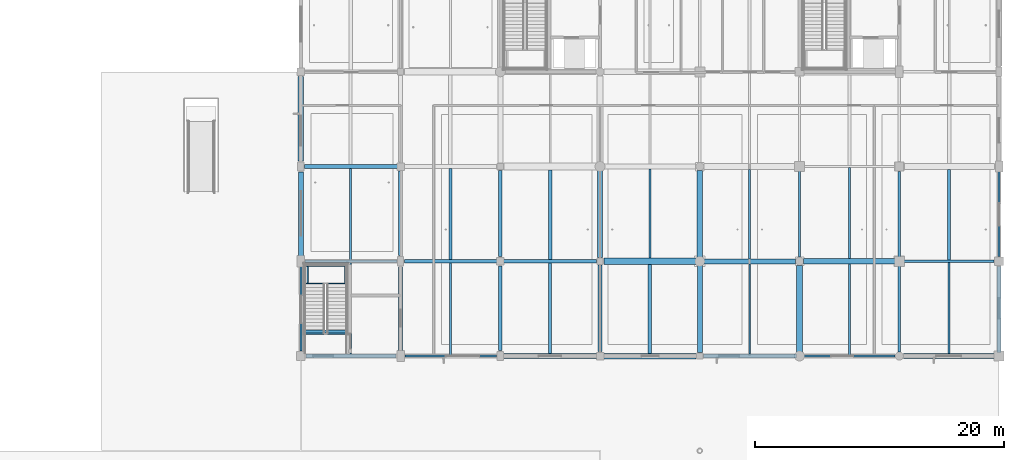
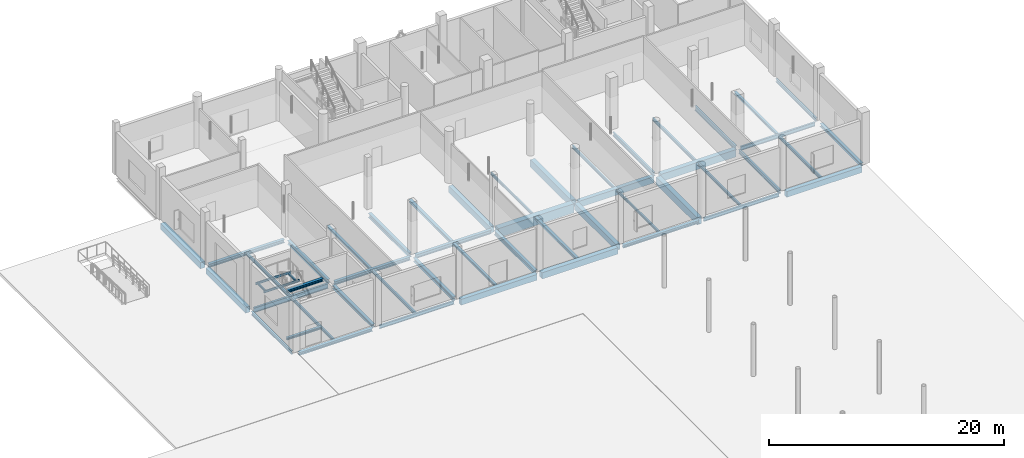
# One storey, part 46 of 126: 52 beams.
"""IFC4 building model written with IfcOpenShell, lengths in metres."""

from ifc_helpers import new_model, si_unit, direction, frame, origin, origin_2d, place, context, subcontext, project, spatial, rectangle, i_section, extrude, material, material_profile, profile_set, type_object, element, save


model = new_model("IFC4")

# Units and contexts
model_context = context("Model", 3, precision=1e-05, world=origin(), true_north=direction((0.0, 1.0)))
body_context = subcontext(model_context, "Body", "Model", "MODEL_VIEW")
ifc_project = project(units=[si_unit("LENGTHUNIT", "METRE"), si_unit("AREAUNIT", "SQUARE_METRE"), si_unit("VOLUMEUNIT", "CUBIC_METRE"), si_unit("PLANEANGLEUNIT", "RADIAN"), si_unit("MASSUNIT", "GRAM", prefix="KILO")], contexts=[model_context])

# Site, building, storey
site_placement = place(None, origin())
site = spatial("IfcSite", under=ifc_project, at=site_placement, CompositionType="ELEMENT")
building_placement = place(site_placement, origin())
building = spatial("IfcBuilding", under=site, at=building_placement, Name="Khelvaren Railside Concert Hall", CompositionType="ELEMENT")
storey_placement = place(building_placement, origin())
storey = spatial("IfcBuildingStorey", under=building, at=storey_placement, Name="L00", CompositionType="ELEMENT", Elevation=0.0)

# Beams
ifc_material_1 = material(Name="Steel S355", Category="steel")
ifc_material_profile_1 = material_profile(ifc_material_1, i_section(OverallWidth=0.300048828125, OverallDepth=0.389892578125, WebThickness=0.010986328125, FlangeThickness=0.01904296875, FilletRadius=0.027099609375, at=origin_2d()), Name="HEA 400")
ifc_profile_set_1 = profile_set([ifc_material_profile_1], Name="Steel S355")
beam_type_1 = type_object("IfcBeamType", Name="BM23", PredefinedType="BEAM", material=ifc_profile_set_1)
beam_1_placement = place(storey_placement, frame((144.25, 91.199951171875, -0.514892578125), z_axis=(1.0, 0.0, 0.0), x_axis=(0.0, 1.0, 0.0)))
element("IfcBeam", 1, at=beam_1_placement, inside=storey, type_object=beam_type_1, Name="V5 L00 Beam X2.3", PredefinedType="BEAM", context=body_context, shape_type="SweptSolid", body=[
    extrude(i_section(OverallWidth=0.300048828125, OverallDepth=0.389892578125, WebThickness=0.010986328125, FlangeThickness=0.01904296875, FilletRadius=0.027099609375, at=origin_2d()), origin(), (0.0, 0.0, 1.0), 7.449951171875),
])
beam_2_placement = place(storey_placement, frame((136.0, 91.64990234375, -0.514892578125), z_axis=(0.0, 1.0, 0.0), x_axis=(-1.0, 0.0, 0.0)))
element("IfcBeam", 2, at=beam_2_placement, inside=storey, type_object=beam_type_1, Name="V5 L00 Beam Y2.2", PredefinedType="BEAM", context=body_context, shape_type="SweptSolid", body=[
    extrude(i_section(OverallWidth=0.300048828125, OverallDepth=0.389892578125, WebThickness=0.010986328125, FlangeThickness=0.01904296875, FilletRadius=0.027099609375, at=origin_2d()), origin(), (0.0, 0.0, 1.0), 6.775146484375),
])
beam_3_placement = place(storey_placement, frame((144.0, 84.050048828125, -0.514892578125), z_axis=(0.0, 1.0, 0.0), x_axis=(-1.0, 0.0, 0.0)))
element("IfcBeam", 3, at=beam_3_placement, inside=storey, type_object=beam_type_1, Name="V5 L00 Beam Y3.1", PredefinedType="BEAM", context=body_context, shape_type="SweptSolid", body=[
    extrude(i_section(OverallWidth=0.300048828125, OverallDepth=0.389892578125, WebThickness=0.010986328125, FlangeThickness=0.01904296875, FilletRadius=0.027099609375, at=origin_2d()), origin(), (0.0, 0.0, 1.0), 6.77490234375),
])
ifc_material_profile_2 = material_profile(ifc_material_1, i_section(OverallWidth=0.179931640625, OverallDepth=0.39990234375, WebThickness=0.008544921875, FlangeThickness=0.013427734375, FilletRadius=0.02099609375, at=origin_2d()), Name="IPE 400")
ifc_profile_set_2 = profile_set([ifc_material_profile_2], Name="Steel S355")
beam_type_2 = type_object("IfcBeamType", Name="BM29", PredefinedType="BEAM", material=ifc_profile_set_2)
beam_4_placement = place(storey_placement, frame((176.27294921875, 91.199951171875, -0.52001953125), z_axis=(1.0, 0.0, 0.0), x_axis=(0.0, 1.0, 0.0)))
element("IfcBeam", 4, at=beam_4_placement, inside=storey, type_object=beam_type_2, Name="V5 L00 Beam X2.7", PredefinedType="BEAM", context=body_context, shape_type="SweptSolid", body=[
    extrude(i_section(OverallWidth=0.179931640625, OverallDepth=0.39990234375, WebThickness=0.008544921875, FlangeThickness=0.013427734375, FilletRadius=0.02099609375, at=origin_2d()), origin(), (0.0, 0.0, 1.0), 7.3271484375),
])
beam_5_placement = place(storey_placement, frame((168.0, 91.535888671875, -0.52001953125), z_axis=(0.0, 1.0, 0.0), x_axis=(-1.0, 0.0, 0.0)))
element("IfcBeam", 5, at=beam_5_placement, inside=storey, type_object=beam_type_2, Name="V5 L00 Beam Y6.2", PredefinedType="BEAM", context=body_context, shape_type="SweptSolid", body=[
    extrude(i_section(OverallWidth=0.179931640625, OverallDepth=0.39990234375, WebThickness=0.008544921875, FlangeThickness=0.013427734375, FilletRadius=0.02099609375, at=origin_2d()), origin(), (0.0, 0.0, 1.0), 6.9912109375),
])
beam_6_placement = place(storey_placement, frame((176.0, 83.93603515625, -0.52001953125), z_axis=(0.0, 1.0, 0.0), x_axis=(-1.0, 0.0, 0.0)))
element("IfcBeam", 6, at=beam_6_placement, inside=storey, type_object=beam_type_2, Name="V5 L00 Beam Y7.1", PredefinedType="BEAM", context=body_context, shape_type="SweptSolid", body=[
    extrude(i_section(OverallWidth=0.179931640625, OverallDepth=0.39990234375, WebThickness=0.008544921875, FlangeThickness=0.013427734375, FilletRadius=0.02099609375, at=origin_2d()), origin(), (0.0, 0.0, 1.0), 6.990966796875),
])
ifc_material_2 = material(Name="Concrete C40/50", Category="concrete")
ifc_material_profile_3 = material_profile(ifc_material_2, rectangle(XDim=0.39990234375, YDim=0.64990234375, at=origin_2d()), Name="RCB 400x650")
ifc_profile_set_3 = profile_set([ifc_material_profile_3], Name="Concrete C40/50")
beam_type_3 = type_object("IfcBeamType", Name="BM33", PredefinedType="BEAM", material=ifc_profile_set_3)
beam_7_placement = place(storey_placement, frame((160.25, 91.199951171875, -0.64501953125), z_axis=(1.0, 0.0, 0.0), x_axis=(0.0, 1.0, 0.0)))
element("IfcBeam", 7, at=beam_7_placement, inside=storey, type_object=beam_type_3, Name="V5 L00 Beam X2.5", PredefinedType="BEAM", context=body_context, shape_type="SweptSolid", body=[
    extrude(rectangle(XDim=0.39990234375, YDim=0.64990234375, at=origin_2d()), origin(), (0.0, 0.0, 1.0), 7.4140625),
])
for number, where, z_axis, x_axis, name in (
    (8, (152.0, 91.5, -0.64501953125), (0.0, 1.0, 0.0), (-1.0, 0.0, 0.0), "V5 L00 Beam Y4.2"),
    (9, (160.0, 83.89990234375, -0.64501953125), (0.0, 1.0, 0.0), (-1.0, 0.0, 0.0), "V5 L00 Beam Y5.1"),
):
    element("IfcBeam", number, at=place(storey_placement, frame(where, z_axis=z_axis, x_axis=x_axis)), inside=storey, type_object=beam_type_3, Name=name, PredefinedType="BEAM", context=body_context, shape_type="SweptSolid", body=[
        extrude(rectangle(XDim=0.39990234375, YDim=0.64990234375, at=origin_2d()), origin(), (0.0, 0.0, 1.0), 7.050048828125),
    ])
ifc_material_profile_4 = material_profile(ifc_material_1, i_section(OverallWidth=0.239990234375, OverallDepth=0.22998046875, WebThickness=0.007568359375, FlangeThickness=0.011962890625, FilletRadius=0.02099609375, at=origin_2d()), Name="HEA 240")
ifc_profile_set_4 = profile_set([ifc_material_profile_4], Name="Steel S355")
beam_type_4 = type_object("IfcBeamType", Name="BM42", PredefinedType="BEAM", material=ifc_profile_set_4)
beam_8_placement = place(storey_placement, frame((128.344970703125, 85.560791015625, -0.114990234375), z_axis=(1.0, 0.0, 0.0), x_axis=(0.0, 1.0, 0.0)))
element("IfcBeam", 10, at=beam_8_placement, inside=storey, type_object=beam_type_4, Name="ST-12 L00 Stair Foot Trimmer Beam", PredefinedType="BEAM", context=body_context, shape_type="SweptSolid", body=[
    extrude(i_section(OverallWidth=0.239990234375, OverallDepth=0.22998046875, WebThickness=0.007568359375, FlangeThickness=0.011962890625, FilletRadius=0.02099609375, at=origin_2d()), origin(), (0.0, 0.0, 1.0), 3.4951171875),
])
ifc_material_profile_5 = material_profile(ifc_material_1, i_section(OverallWidth=0.199951171875, OverallDepth=0.5, WebThickness=0.01025390625, FlangeThickness=0.01611328125, FilletRadius=0.02099609375, at=origin_2d()), Name="IPE 500")
ifc_profile_set_5 = profile_set([ifc_material_profile_5], Name="Steel S355")
beam_type_5 = type_object("IfcBeamType", Name="BM62", PredefinedType="BEAM", material=ifc_profile_set_5)
beam_9_placement = place(storey_placement, frame((128.35009765625, 91.199951171875, -0.570068359375), z_axis=(1.0, 0.0, 0.0), x_axis=(0.0, 1.0, 0.0)))
element("IfcBeam", 11, at=beam_9_placement, inside=storey, type_object=beam_type_5, Name="V5 L00 Beam X2.1", PredefinedType="BEAM", context=body_context, shape_type="SweptSolid", body=[
    extrude(i_section(OverallWidth=0.199951171875, OverallDepth=0.5, WebThickness=0.01025390625, FlangeThickness=0.01611328125, FilletRadius=0.02099609375, at=origin_2d()), origin(), (0.0, 0.0, 1.0), 7.349853515625),
])
ifc_material_profile_6 = material_profile(ifc_material_1, i_section(OverallWidth=0.300048828125, OverallDepth=0.35009765625, WebThickness=0.010009765625, FlangeThickness=0.017578125, FilletRadius=0.027099609375, at=origin_2d()), Name="HEA 360")
ifc_profile_set_6 = profile_set([ifc_material_profile_6], Name="Steel S355")
beam_type_6 = type_object("IfcBeamType", Name="BM73", PredefinedType="BEAM", material=ifc_profile_set_6)
for number, where, z_axis, x_axis, name in (
    (12, (136.300048828125, 91.199951171875, -0.4951171875), (1.0, 0.0, 0.0), (0.0, 1.0, 0.0), "V5 L00 Beam X2.2"),
    (13, (128.300048828125, 98.800048828125, -0.4951171875), (1.0, 0.0, 0.0), (0.0, 1.0, 0.0), "V5 L00 Beam X3.1"),
):
    element("IfcBeam", number, at=place(storey_placement, frame(where, z_axis=z_axis, x_axis=x_axis)), inside=storey, type_object=beam_type_6, Name=name, PredefinedType="BEAM", context=body_context, shape_type="SweptSolid", body=[
        extrude(i_section(OverallWidth=0.300048828125, OverallDepth=0.35009765625, WebThickness=0.010009765625, FlangeThickness=0.017578125, FilletRadius=0.027099609375, at=origin_2d()), origin(), (0.0, 0.0, 1.0), 7.449951171875),
    ])
beam_10_placement = place(storey_placement, frame((136.0, 83.949951171875, -0.4951171875), z_axis=(0.0, 1.0, 0.0), x_axis=(-1.0, 0.0, 0.0)))
element("IfcBeam", 14, at=beam_10_placement, inside=storey, type_object=beam_type_6, Name="V5 L00 Beam Y2.1", PredefinedType="BEAM", context=body_context, shape_type="SweptSolid", body=[
    extrude(i_section(OverallWidth=0.300048828125, OverallDepth=0.35009765625, WebThickness=0.010009765625, FlangeThickness=0.017578125, FilletRadius=0.027099609375, at=origin_2d()), origin(), (0.0, 0.0, 1.0), 6.800048828125),
])
ifc_material_profile_7 = material_profile(ifc_material_2, rectangle(XDim=0.449951171875, YDim=0.75, at=origin_2d()), Name="RCB 450x750")
ifc_profile_set_7 = profile_set([ifc_material_profile_7], Name="Concrete C40/50")
beam_type_7 = type_object("IfcBeamType", Name="BM83", PredefinedType="BEAM", material=ifc_profile_set_7)
beam_11_placement = place(storey_placement, frame((168.3359375, 91.199951171875, -0.695068359375), z_axis=(1.0, 0.0, 0.0), x_axis=(0.0, 1.0, 0.0)))
element("IfcBeam", 15, at=beam_11_placement, inside=storey, type_object=beam_type_7, Name="V5 L00 Beam X2.6", PredefinedType="BEAM", context=body_context, shape_type="SweptSolid", body=[
    extrude(rectangle(XDim=0.449951171875, YDim=0.75, at=origin_2d()), origin(), (0.0, 0.0, 1.0), 7.39111328125),
])
beam_12_placement = place(storey_placement, frame((160.0, 91.449951171875, -0.695068359375), z_axis=(0.0, 1.0, 0.0), x_axis=(-1.0, 0.0, 0.0)))
element("IfcBeam", 16, at=beam_12_placement, inside=storey, type_object=beam_type_7, Name="V5 L00 Beam Y5.2", PredefinedType="BEAM", context=body_context, shape_type="SweptSolid", body=[
    extrude(rectangle(XDim=0.449951171875, YDim=0.75, at=origin_2d()), origin(), (0.0, 0.0, 1.0), 7.01416015625),
])
beam_13_placement = place(storey_placement, frame((168.0, 83.85009765625, -0.695068359375), z_axis=(0.0, 1.0, 0.0), x_axis=(-1.0, 0.0, 0.0)))
element("IfcBeam", 17, at=beam_13_placement, inside=storey, type_object=beam_type_7, Name="V5 L00 Beam Y6.1", PredefinedType="BEAM", context=body_context, shape_type="SweptSolid", body=[
    extrude(rectangle(XDim=0.449951171875, YDim=0.75, at=origin_2d()), origin(), (0.0, 0.0, 1.0), 7.013916015625),
])
ifc_material_profile_8 = material_profile(ifc_material_1, i_section(OverallWidth=0.110107421875, OverallDepth=0.219970703125, WebThickness=0.005859375, FlangeThickness=0.00927734375, FilletRadius=0.011962890625, at=origin_2d()), Name="IPE 220")
ifc_profile_set_8 = profile_set([ifc_material_profile_8], Name="Steel S355")
beam_type_8 = type_object("IfcBeamType", Name="BM87", PredefinedType="BEAM", material=ifc_profile_set_8)
for number, where, z_axis, x_axis, name in (
    (18, (128.344970703125, 89.425048828125, 2.389892578125), (1.0, 0.0, 0.0), (0.0, 1.0, 0.0), "ST-12 L00 Half-Landing Front Beam"),
    (19, (128.344970703125, 90.840087890625, 2.389892578125), (1.0, 0.0, 0.0), (0.0, 1.0, 0.0), "ST-12 L00 Half-Landing Rear Beam"),
):
    element("IfcBeam", number, at=place(storey_placement, frame(where, z_axis=z_axis, x_axis=x_axis)), inside=storey, type_object=beam_type_8, Name=name, PredefinedType="BEAM", context=body_context, shape_type="SweptSolid", body=[
        extrude(i_section(OverallWidth=0.110107421875, OverallDepth=0.219970703125, WebThickness=0.005859375, FlangeThickness=0.00927734375, FilletRadius=0.011962890625, at=origin_2d()), origin(), (0.0, 0.0, 1.0), 3.4951171875),
    ])
for number, where, z_axis, x_axis, name in (
    (20, (128.550048828125, 89.47998046875, 2.389892578125), (0.0, 1.0, 0.0), (-1.0, 0.0, 0.0), "ST-12 L00 Half-Landing Side Tie W"),
    (21, (131.550048828125, 89.47998046875, 2.389892578125), (0.0, 1.0, 0.0), (-1.0, 0.0, 0.0), "ST-12 L00 Half-Landing Side Tie E"),
):
    element("IfcBeam", number, at=place(storey_placement, frame(where, z_axis=z_axis, x_axis=x_axis)), inside=storey, type_object=beam_type_8, Name=name, PredefinedType="BEAM", context=body_context, shape_type="SweptSolid", body=[
        extrude(i_section(OverallWidth=0.110107421875, OverallDepth=0.219970703125, WebThickness=0.005859375, FlangeThickness=0.00927734375, FilletRadius=0.011962890625, at=origin_2d()), origin(), (0.0, 0.0, 1.0), 1.304931640625),
    ])
ifc_material_profile_9 = material_profile(ifc_material_1, i_section(OverallWidth=0.300048828125, OverallDepth=0.43994140625, WebThickness=0.011474609375, FlangeThickness=0.02099609375, FilletRadius=0.027099609375, at=origin_2d()), Name="HEA 450")
ifc_profile_set_9 = profile_set([ifc_material_profile_9], Name="Steel S355")
beam_type_9 = type_object("IfcBeamType", Name="BM89", PredefinedType="BEAM", material=ifc_profile_set_9)
beam_14_placement = place(storey_placement, frame((144.0, 91.574951171875, -0.5400390625), z_axis=(0.0, 1.0, 0.0), x_axis=(-1.0, 0.0, 0.0)))
element("IfcBeam", 22, at=beam_14_placement, inside=storey, type_object=beam_type_9, Name="V5 L00 Beam Y3.2", PredefinedType="BEAM", context=body_context, shape_type="SweptSolid", body=[
    extrude(i_section(OverallWidth=0.300048828125, OverallDepth=0.43994140625, WebThickness=0.011474609375, FlangeThickness=0.02099609375, FilletRadius=0.027099609375, at=origin_2d()), origin(), (0.0, 0.0, 1.0), 6.925048828125),
])
beam_15_placement = place(storey_placement, frame((152.0, 83.97509765625, -0.5400390625), z_axis=(0.0, 1.0, 0.0), x_axis=(-1.0, 0.0, 0.0)))
element("IfcBeam", 23, at=beam_15_placement, inside=storey, type_object=beam_type_9, Name="V5 L00 Beam Y4.1", PredefinedType="BEAM", context=body_context, shape_type="SweptSolid", body=[
    extrude(i_section(OverallWidth=0.300048828125, OverallDepth=0.43994140625, WebThickness=0.011474609375, FlangeThickness=0.02099609375, FilletRadius=0.027099609375, at=origin_2d()), origin(), (0.0, 0.0, 1.0), 6.9248046875),
])
ifc_material_profile_10 = material_profile(ifc_material_1, i_section(OverallWidth=0.280029296875, OverallDepth=0.27001953125, WebThickness=0.008056640625, FlangeThickness=0.012939453125, FilletRadius=0.02392578125, at=origin_2d()), Name="HEA 280")
ifc_profile_set_10 = profile_set([ifc_material_profile_10], Name="Steel S355")
beam_type_10 = type_object("IfcBeamType", Name="BM93", PredefinedType="BEAM", material=ifc_profile_set_10)
beam_16_placement = place(storey_placement, frame((128.344970703125, 85.4599609375, 4.90673828125), z_axis=(1.0, 0.0, 0.0), x_axis=(0.0, 1.0, 0.0)))
element("IfcBeam", 24, at=beam_16_placement, inside=storey, type_object=beam_type_10, Name="ST-12 L00 Stair Top Arrival Trimmer Beam", PredefinedType="BEAM", context=body_context, shape_type="SweptSolid", body=[
    extrude(i_section(OverallWidth=0.280029296875, OverallDepth=0.27001953125, WebThickness=0.008056640625, FlangeThickness=0.012939453125, FilletRadius=0.02392578125, at=origin_2d()), origin(), (0.0, 0.0, 1.0), 3.4951171875),
])
ifc_material_profile_11 = material_profile(ifc_material_1, i_section(OverallWidth=0.18994140625, OverallDepth=0.449951171875, WebThickness=0.009521484375, FlangeThickness=0.0146484375, FilletRadius=0.02099609375, at=origin_2d()), Name="IPE 450")
ifc_profile_set_11 = profile_set([ifc_material_profile_11], Name="Steel S355")
beam_type_11 = type_object("IfcBeamType", Name="BM95", PredefinedType="BEAM", material=ifc_profile_set_11)
beam_17_placement = place(storey_placement, frame((176.0, 91.472900390625, -0.544921875), z_axis=(0.0, 1.0, 0.0), x_axis=(-1.0, 0.0, 0.0)))
element("IfcBeam", 25, at=beam_17_placement, inside=storey, type_object=beam_type_11, Name="V5 L00 Beam Y7.2", PredefinedType="BEAM", context=body_context, shape_type="SweptSolid", body=[
    extrude(i_section(OverallWidth=0.18994140625, OverallDepth=0.449951171875, WebThickness=0.009521484375, FlangeThickness=0.0146484375, FilletRadius=0.02099609375, at=origin_2d()), origin(), (0.0, 0.0, 1.0), 6.927001953125),
])
ifc_material_profile_12 = material_profile(ifc_material_2, rectangle(XDim=0.550048828125, YDim=0.949951171875, at=origin_2d()), Name="RCB 550x950")
ifc_profile_set_12 = profile_set([ifc_material_profile_12], Name="Concrete C40/50")
beam_type_12 = type_object("IfcBeamType", Name="GR57", PredefinedType="T_BEAM", material=ifc_profile_set_12)
beam_18_placement = place(storey_placement, frame((152.300048828125, 91.199951171875, -0.794921875), z_axis=(1.0, 0.0, 0.0), x_axis=(0.0, 1.0, 0.0)))
element("IfcBeam", 26, at=beam_18_placement, inside=storey, type_object=beam_type_12, Name="V5 L00 T_Beam X2.4", PredefinedType="T_BEAM", context=body_context, shape_type="SweptSolid", body=[
    extrude(rectangle(XDim=0.550048828125, YDim=0.949951171875, at=origin_2d()), origin(), (0.0, 0.0, 1.0), 7.449951171875),
])
ifc_material_profile_13 = material_profile(ifc_material_1, i_section(OverallWidth=0.14990234375, OverallDepth=0.300048828125, WebThickness=0.007080078125, FlangeThickness=0.0107421875, FilletRadius=0.014892578125, at=origin_2d()), Name="IPE 300")
ifc_profile_set_13 = profile_set([ifc_material_profile_13], Name="Steel S355")
beam_type_13 = type_object("IfcBeamType", Name="JS26", PredefinedType="JOIST", material=ifc_profile_set_13)
beam_19_placement = place(storey_placement, frame((132.0, 83.75, -0.469970703125), z_axis=(0.0, 1.0, 0.0), x_axis=(-1.0, 0.0, 0.0)))
element("IfcBeam", 27, at=beam_19_placement, inside=storey, type_object=beam_type_13, Name="V5 L00 Secondary Joist 1.1", PredefinedType="JOIST", context=body_context, shape_type="SweptSolid", body=[
    extrude(i_section(OverallWidth=0.14990234375, OverallDepth=0.300048828125, WebThickness=0.007080078125, FlangeThickness=0.0107421875, FilletRadius=0.014892578125, at=origin_2d()), origin(), (0.0, 0.0, 1.0), 7.35009765625),
])
beam_20_placement = place(storey_placement, frame((164.0, 91.39990234375, -0.469970703125), z_axis=(0.0, 1.0, 0.0), x_axis=(-1.0, 0.0, 0.0)))
element("IfcBeam", 28, at=beam_20_placement, inside=storey, type_object=beam_type_13, Name="V5 L00 Secondary Joist 5.2", PredefinedType="JOIST", context=body_context, shape_type="SweptSolid", body=[
    extrude(i_section(OverallWidth=0.14990234375, OverallDepth=0.300048828125, WebThickness=0.007080078125, FlangeThickness=0.0107421875, FilletRadius=0.014892578125, at=origin_2d()), origin(), (0.0, 0.0, 1.0), 7.175048828125),
])
beam_21_placement = place(storey_placement, frame((172.0, 83.68505859375, -0.469970703125), z_axis=(0.0, 1.0, 0.0), x_axis=(-1.0, 0.0, 0.0)))
element("IfcBeam", 29, at=beam_21_placement, inside=storey, type_object=beam_type_13, Name="V5 L00 Secondary Joist 6.1", PredefinedType="JOIST", context=body_context, shape_type="SweptSolid", body=[
    extrude(i_section(OverallWidth=0.14990234375, OverallDepth=0.300048828125, WebThickness=0.007080078125, FlangeThickness=0.0107421875, FilletRadius=0.014892578125, at=origin_2d()), origin(), (0.0, 0.0, 1.0), 7.2900390625),
])
ifc_material_profile_14 = material_profile(ifc_material_1, i_section(OverallWidth=0.280029296875, OverallDepth=0.27001953125, WebThickness=0.008056640625, FlangeThickness=0.012939453125, FilletRadius=0.02392578125, at=origin_2d()), Name="HEA 280")
ifc_profile_set_14 = profile_set([ifc_material_profile_14], Name="Steel S355")
beam_type_14 = type_object("IfcBeamType", Name="JS46", PredefinedType="JOIST", material=ifc_profile_set_14)
beam_22_placement = place(storey_placement, frame((148.0, 91.35009765625, -0.455078125), z_axis=(0.0, 1.0, 0.0), x_axis=(-1.0, 0.0, 0.0)))
element("IfcBeam", 30, at=beam_22_placement, inside=storey, type_object=beam_type_14, Name="V5 L00 Secondary Joist 3.2", PredefinedType="JOIST", context=body_context, shape_type="SweptSolid", body=[
    extrude(i_section(OverallWidth=0.280029296875, OverallDepth=0.27001953125, WebThickness=0.008056640625, FlangeThickness=0.012939453125, FilletRadius=0.02392578125, at=origin_2d()), origin(), (0.0, 0.0, 1.0), 7.1748046875),
])
beam_23_placement = place(storey_placement, frame((156.0, 83.824951171875, -0.455078125), z_axis=(0.0, 1.0, 0.0), x_axis=(-1.0, 0.0, 0.0)))
element("IfcBeam", 31, at=beam_23_placement, inside=storey, type_object=beam_type_14, Name="V5 L00 Secondary Joist 4.1", PredefinedType="JOIST", context=body_context, shape_type="SweptSolid", body=[
    extrude(i_section(OverallWidth=0.280029296875, OverallDepth=0.27001953125, WebThickness=0.008056640625, FlangeThickness=0.012939453125, FilletRadius=0.02392578125, at=origin_2d()), origin(), (0.0, 0.0, 1.0), 7.10009765625),
])
ifc_material_profile_15 = material_profile(ifc_material_1, i_section(OverallWidth=0.159912109375, OverallDepth=0.330078125, WebThickness=0.007568359375, FlangeThickness=0.011474609375, FilletRadius=0.01806640625, at=origin_2d()), Name="IPE 330")
ifc_profile_set_15 = profile_set([ifc_material_profile_15], Name="Steel S355")
beam_type_15 = type_object("IfcBeamType", Name="JS65", PredefinedType="JOIST", material=ifc_profile_set_15)
beam_24_placement = place(storey_placement, frame((132.0, 91.300048828125, -0.485107421875), z_axis=(0.0, 1.0, 0.0), x_axis=(-1.0, 0.0, 0.0)))
element("IfcBeam", 32, at=beam_24_placement, inside=storey, type_object=beam_type_15, Name="V5 L00 Secondary Joist 1.2", PredefinedType="JOIST", context=body_context, shape_type="SweptSolid", body=[
    extrude(i_section(OverallWidth=0.159912109375, OverallDepth=0.330078125, WebThickness=0.007568359375, FlangeThickness=0.011474609375, FilletRadius=0.01806640625, at=origin_2d()), origin(), (0.0, 0.0, 1.0), 7.349853515625),
])
beam_25_placement = place(storey_placement, frame((140.0, 83.68505859375, -0.485107421875), z_axis=(0.0, 1.0, 0.0), x_axis=(-1.0, 0.0, 0.0)))
element("IfcBeam", 33, at=beam_25_placement, inside=storey, type_object=beam_type_15, Name="V5 L00 Secondary Joist 2.1", PredefinedType="JOIST", context=body_context, shape_type="SweptSolid", body=[
    extrude(i_section(OverallWidth=0.159912109375, OverallDepth=0.330078125, WebThickness=0.007568359375, FlangeThickness=0.011474609375, FilletRadius=0.01806640625, at=origin_2d()), origin(), (0.0, 0.0, 1.0), 7.364990234375),
])
beam_26_placement = place(storey_placement, frame((172.0, 91.425048828125, -0.485107421875), z_axis=(0.0, 1.0, 0.0), x_axis=(-1.0, 0.0, 0.0)))
element("IfcBeam", 34, at=beam_26_placement, inside=storey, type_object=beam_type_15, Name="V5 L00 Secondary Joist 6.2", PredefinedType="JOIST", context=body_context, shape_type="SweptSolid", body=[
    extrude(i_section(OverallWidth=0.159912109375, OverallDepth=0.330078125, WebThickness=0.007568359375, FlangeThickness=0.011474609375, FilletRadius=0.01806640625, at=origin_2d()), origin(), (0.0, 0.0, 1.0), 7.284912109375),
])
beam_27_placement = place(storey_placement, frame((180.0, 83.800048828125, -0.485107421875), z_axis=(0.0, 1.0, 0.0), x_axis=(-1.0, 0.0, 0.0)))
element("IfcBeam", 35, at=beam_27_placement, inside=storey, type_object=beam_type_15, Name="V5 L00 Secondary Joist 7.1", PredefinedType="JOIST", context=body_context, shape_type="SweptSolid", body=[
    extrude(i_section(OverallWidth=0.159912109375, OverallDepth=0.330078125, WebThickness=0.007568359375, FlangeThickness=0.011474609375, FilletRadius=0.01806640625, at=origin_2d()), origin(), (0.0, 0.0, 1.0), 7.31005859375),
])
ifc_material_profile_16 = material_profile(ifc_material_1, i_section(OverallWidth=0.239990234375, OverallDepth=0.22998046875, WebThickness=0.007568359375, FlangeThickness=0.011962890625, FilletRadius=0.02099609375, at=origin_2d()), Name="HEA 240")
ifc_profile_set_16 = profile_set([ifc_material_profile_16], Name="Steel S355")
beam_type_16 = type_object("IfcBeamType", Name="JS76", PredefinedType="JOIST", material=ifc_profile_set_16)
beam_28_placement = place(storey_placement, frame((140.0, 91.35009765625, -0.43505859375), z_axis=(0.0, 1.0, 0.0), x_axis=(-1.0, 0.0, 0.0)))
element("IfcBeam", 36, at=beam_28_placement, inside=storey, type_object=beam_type_16, Name="V5 L00 Secondary Joist 2.2", PredefinedType="JOIST", context=body_context, shape_type="SweptSolid", body=[
    extrude(i_section(OverallWidth=0.239990234375, OverallDepth=0.22998046875, WebThickness=0.007568359375, FlangeThickness=0.011962890625, FilletRadius=0.02099609375, at=origin_2d()), origin(), (0.0, 0.0, 1.0), 7.2998046875),
])
beam_29_placement = place(storey_placement, frame((148.0, 83.800048828125, -0.43505859375), z_axis=(0.0, 1.0, 0.0), x_axis=(-1.0, 0.0, 0.0)))
element("IfcBeam", 37, at=beam_29_placement, inside=storey, type_object=beam_type_16, Name="V5 L00 Secondary Joist 3.1", PredefinedType="JOIST", context=body_context, shape_type="SweptSolid", body=[
    extrude(i_section(OverallWidth=0.239990234375, OverallDepth=0.22998046875, WebThickness=0.007568359375, FlangeThickness=0.011962890625, FilletRadius=0.02099609375, at=origin_2d()), origin(), (0.0, 0.0, 1.0), 7.25),
])
beam_30_placement = place(storey_placement, frame((180.0, 91.2900390625, -0.43505859375), z_axis=(0.0, 1.0, 0.0), x_axis=(-1.0, 0.0, 0.0)))
element("IfcBeam", 38, at=beam_30_placement, inside=storey, type_object=beam_type_16, Name="V5 L00 Secondary Joist 7.2", PredefinedType="JOIST", context=body_context, shape_type="SweptSolid", body=[
    extrude(i_section(OverallWidth=0.239990234375, OverallDepth=0.22998046875, WebThickness=0.007568359375, FlangeThickness=0.011962890625, FilletRadius=0.02099609375, at=origin_2d()), origin(), (0.0, 0.0, 1.0), 7.260009765625),
])
ifc_material_profile_17 = material_profile(ifc_material_1, i_section(OverallWidth=0.135009765625, OverallDepth=0.27001953125, WebThickness=0.006591796875, FlangeThickness=0.01025390625, FilletRadius=0.014892578125, at=origin_2d()), Name="IPE 270")
ifc_profile_set_17 = profile_set([ifc_material_profile_17], Name="Steel S355")
beam_type_17 = type_object("IfcBeamType", Name="JS78", PredefinedType="JOIST", material=ifc_profile_set_17)
beam_31_placement = place(storey_placement, frame((156.0, 91.47509765625, -0.455078125), z_axis=(0.0, 1.0, 0.0), x_axis=(-1.0, 0.0, 0.0)))
element("IfcBeam", 39, at=beam_31_placement, inside=storey, type_object=beam_type_17, Name="V5 L00 Secondary Joist 4.2", PredefinedType="JOIST", context=body_context, shape_type="SweptSolid", body=[
    extrude(i_section(OverallWidth=0.135009765625, OverallDepth=0.27001953125, WebThickness=0.006591796875, FlangeThickness=0.01025390625, FilletRadius=0.014892578125, at=origin_2d()), origin(), (0.0, 0.0, 1.0), 7.125),
])
beam_32_placement = place(storey_placement, frame((164.0, 83.75, -0.455078125), z_axis=(0.0, 1.0, 0.0), x_axis=(-1.0, 0.0, 0.0)))
element("IfcBeam", 40, at=beam_32_placement, inside=storey, type_object=beam_type_17, Name="V5 L00 Secondary Joist 5.1", PredefinedType="JOIST", context=body_context, shape_type="SweptSolid", body=[
    extrude(i_section(OverallWidth=0.135009765625, OverallDepth=0.27001953125, WebThickness=0.006591796875, FlangeThickness=0.01025390625, FilletRadius=0.014892578125, at=origin_2d()), origin(), (0.0, 0.0, 1.0), 7.25),
])
ifc_material_profile_18 = material_profile(ifc_material_2, rectangle(XDim=0.449951171875, YDim=0.64990234375, at=origin_2d()), Name="RCB 450x650")
ifc_profile_set_18 = profile_set([ifc_material_profile_18], Name="Concrete C40/50")
beam_type_18 = type_object("IfcBeamType", Name="SP34", PredefinedType="SPANDREL", material=ifc_profile_set_18)
beam_33_placement = place(storey_placement, frame((152.25, 83.60009765625, -0.64501953125), z_axis=(1.0, 0.0, 0.0), x_axis=(0.0, 1.0, 0.0)))
element("IfcBeam", 41, at=beam_33_placement, inside=storey, type_object=beam_type_18, Name="V5 L00 Spandrel X1.4", PredefinedType="SPANDREL", context=body_context, shape_type="SweptSolid", body=[
    extrude(rectangle(XDim=0.449951171875, YDim=0.64990234375, at=origin_2d()), origin(), (0.0, 0.0, 1.0), 7.449951171875),
])
beam_34_placement = place(storey_placement, frame((128.0, 99.25, -0.64501953125), z_axis=(0.0, 1.0, 0.0), x_axis=(-1.0, 0.0, 0.0)))
element("IfcBeam", 42, at=beam_34_placement, inside=storey, type_object=beam_type_18, Name="V5 L00 Spandrel Y1.3", PredefinedType="SPANDREL", context=body_context, shape_type="SweptSolid", body=[
    extrude(rectangle(XDim=0.449951171875, YDim=0.64990234375, at=origin_2d()), origin(), (0.0, 0.0, 1.0), 6.77490234375),
])
ifc_material_profile_19 = material_profile(ifc_material_1, i_section(OverallWidth=0.300048828125, OverallDepth=0.31005859375, WebThickness=0.009033203125, FlangeThickness=0.015380859375, FilletRadius=0.027099609375, at=origin_2d()), Name="HEA 320")
ifc_profile_set_19 = profile_set([ifc_material_profile_19], Name="Steel S355")
beam_type_19 = type_object("IfcBeamType", Name="SP66", PredefinedType="SPANDREL", material=ifc_profile_set_19)
beam_35_placement = place(storey_placement, frame((128.39990234375, 83.60009765625, -0.47509765625), z_axis=(1.0, 0.0, 0.0), x_axis=(0.0, 1.0, 0.0)))
element("IfcBeam", 43, at=beam_35_placement, inside=storey, type_object=beam_type_19, Name="V5 L00 Spandrel X1.1", PredefinedType="SPANDREL", context=body_context, shape_type="SweptSolid", body=[
    extrude(i_section(OverallWidth=0.300048828125, OverallDepth=0.31005859375, WebThickness=0.009033203125, FlangeThickness=0.015380859375, FilletRadius=0.027099609375, at=origin_2d()), origin(), (0.0, 0.0, 1.0), 7.25),
])
beam_36_placement = place(storey_placement, frame((160.300048828125, 83.60009765625, -0.47509765625), z_axis=(1.0, 0.0, 0.0), x_axis=(0.0, 1.0, 0.0)))
element("IfcBeam", 44, at=beam_36_placement, inside=storey, type_object=beam_type_19, Name="V5 L00 Spandrel X1.5", PredefinedType="SPANDREL", context=body_context, shape_type="SweptSolid", body=[
    extrude(i_section(OverallWidth=0.300048828125, OverallDepth=0.31005859375, WebThickness=0.009033203125, FlangeThickness=0.015380859375, FilletRadius=0.027099609375, at=origin_2d()), origin(), (0.0, 0.0, 1.0), 7.449951171875),
])
beam_37_placement = place(storey_placement, frame((184.0, 83.873046875, -0.47509765625), z_axis=(0.0, 1.0, 0.0), x_axis=(-1.0, 0.0, 0.0)))
element("IfcBeam", 45, at=beam_37_placement, inside=storey, type_object=beam_type_19, Name="V5 L00 Spandrel Y8.1", PredefinedType="SPANDREL", context=body_context, shape_type="SweptSolid", body=[
    extrude(i_section(OverallWidth=0.300048828125, OverallDepth=0.31005859375, WebThickness=0.009033203125, FlangeThickness=0.015380859375, FilletRadius=0.027099609375, at=origin_2d()), origin(), (0.0, 0.0, 1.0), 6.927001953125),
])
ifc_material_profile_20 = material_profile(ifc_material_1, i_section(OverallWidth=0.169921875, OverallDepth=0.360107421875, WebThickness=0.008056640625, FlangeThickness=0.0126953125, FilletRadius=0.01806640625, at=origin_2d()), Name="IPE 360")
ifc_profile_set_20 = profile_set([ifc_material_profile_20], Name="Steel S355")
beam_type_20 = type_object("IfcBeamType", Name="SP74", PredefinedType="SPANDREL", material=ifc_profile_set_20)
beam_38_placement = place(storey_placement, frame((136.35009765625, 83.60009765625, -0.5), z_axis=(1.0, 0.0, 0.0), x_axis=(0.0, 1.0, 0.0)))
element("IfcBeam", 46, at=beam_38_placement, inside=storey, type_object=beam_type_20, Name="V5 L00 Spandrel X1.2", PredefinedType="SPANDREL", context=body_context, shape_type="SweptSolid", body=[
    extrude(i_section(OverallWidth=0.169921875, OverallDepth=0.360107421875, WebThickness=0.008056640625, FlangeThickness=0.0126953125, FilletRadius=0.01806640625, at=origin_2d()), origin(), (0.0, 0.0, 1.0), 7.349853515625),
])
beam_39_placement = place(storey_placement, frame((168.25, 83.60009765625, -0.5), z_axis=(1.0, 0.0, 0.0), x_axis=(0.0, 1.0, 0.0)))
element("IfcBeam", 47, at=beam_39_placement, inside=storey, type_object=beam_type_20, Name="V5 L00 Spandrel X1.6", PredefinedType="SPANDREL", context=body_context, shape_type="SweptSolid", body=[
    extrude(i_section(OverallWidth=0.169921875, OverallDepth=0.360107421875, WebThickness=0.008056640625, FlangeThickness=0.0126953125, FilletRadius=0.01806640625, at=origin_2d()), origin(), (0.0, 0.0, 1.0), 7.4140625),
])
beam_40_placement = place(storey_placement, frame((128.0, 84.0, -0.5), z_axis=(0.0, 1.0, 0.0), x_axis=(-1.0, 0.0, 0.0)))
element("IfcBeam", 48, at=beam_40_placement, inside=storey, type_object=beam_type_20, Name="V5 L00 Spandrel Y1.1", PredefinedType="SPANDREL", context=body_context, shape_type="SweptSolid", body=[
    extrude(i_section(OverallWidth=0.169921875, OverallDepth=0.360107421875, WebThickness=0.008056640625, FlangeThickness=0.0126953125, FilletRadius=0.01806640625, at=origin_2d()), origin(), (0.0, 0.0, 1.0), 6.85009765625),
])
beam_41_placement = place(storey_placement, frame((184.0, 91.60009765625, -0.5), z_axis=(0.0, 1.0, 0.0), x_axis=(-1.0, 0.0, 0.0)))
element("IfcBeam", 49, at=beam_41_placement, inside=storey, type_object=beam_type_20, Name="V5 L00 Spandrel Y8.2", PredefinedType="SPANDREL", context=body_context, shape_type="SweptSolid", body=[
    extrude(i_section(OverallWidth=0.169921875, OverallDepth=0.360107421875, WebThickness=0.008056640625, FlangeThickness=0.0126953125, FilletRadius=0.01806640625, at=origin_2d()), origin(), (0.0, 0.0, 1.0), 6.849853515625),
])
ifc_material_profile_21 = material_profile(ifc_material_2, rectangle(XDim=0.39990234375, YDim=0.60009765625, at=origin_2d()), Name="RCB 400x600")
ifc_profile_set_21 = profile_set([ifc_material_profile_21], Name="Concrete C40/50")
beam_type_21 = type_object("IfcBeamType", Name="SP75", PredefinedType="SPANDREL", material=ifc_profile_set_21)
beam_42_placement = place(storey_placement, frame((144.300048828125, 83.60009765625, -0.6201171875), z_axis=(1.0, 0.0, 0.0), x_axis=(0.0, 1.0, 0.0)))
element("IfcBeam", 50, at=beam_42_placement, inside=storey, type_object=beam_type_21, Name="V5 L00 Spandrel X1.3", PredefinedType="SPANDREL", context=body_context, shape_type="SweptSolid", body=[
    extrude(rectangle(XDim=0.39990234375, YDim=0.60009765625, at=origin_2d()), origin(), (0.0, 0.0, 1.0), 7.449951171875),
])
beam_43_placement = place(storey_placement, frame((176.3359375, 83.60009765625, -0.6201171875), z_axis=(1.0, 0.0, 0.0), x_axis=(0.0, 1.0, 0.0)))
element("IfcBeam", 51, at=beam_43_placement, inside=storey, type_object=beam_type_21, Name="V5 L00 Spandrel X1.7", PredefinedType="SPANDREL", context=body_context, shape_type="SweptSolid", body=[
    extrude(rectangle(XDim=0.39990234375, YDim=0.60009765625, at=origin_2d()), origin(), (0.0, 0.0, 1.0), 7.39111328125),
])
beam_44_placement = place(storey_placement, frame((128.0, 91.550048828125, -0.6201171875), z_axis=(0.0, 1.0, 0.0), x_axis=(-1.0, 0.0, 0.0)))
element("IfcBeam", 52, at=beam_44_placement, inside=storey, type_object=beam_type_21, Name="V5 L00 Spandrel Y1.2", PredefinedType="SPANDREL", context=body_context, shape_type="SweptSolid", body=[
    extrude(rectangle(XDim=0.39990234375, YDim=0.60009765625, at=origin_2d()), origin(), (0.0, 0.0, 1.0), 6.800048828125),
])

save(model, "model.ifc")
